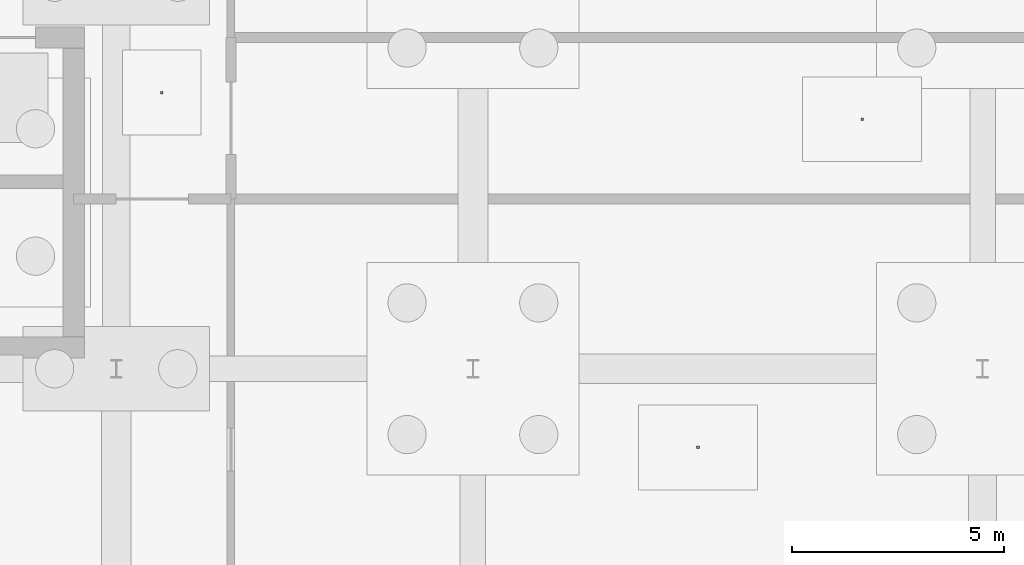
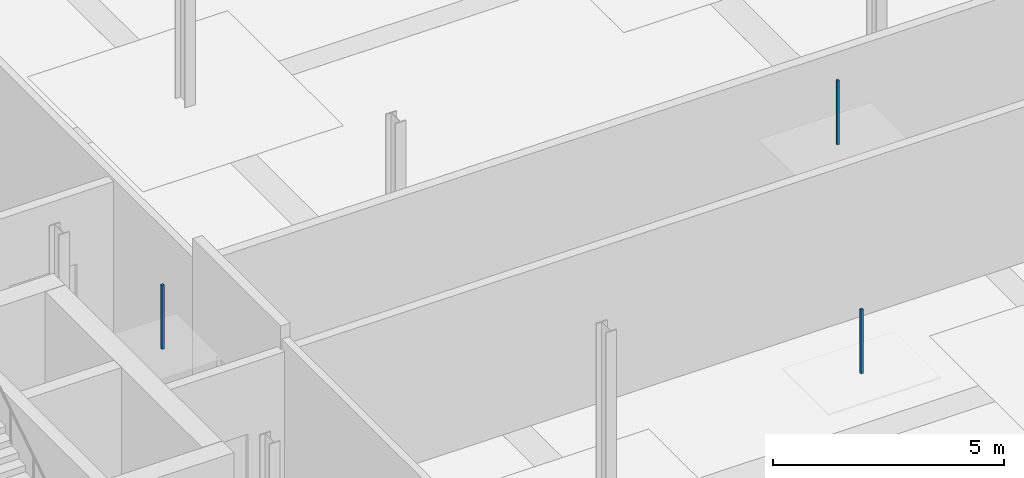
# One storey, part 106 of 119: 3 discrete accessories.
"""IFC4 building model written with IfcOpenShell, lengths in metres."""

from ifc_helpers import new_model, si_unit, derived_unit, direction, frame, origin, origin_2d, place, context, subcontext, project, spatial, rectangle, extrude, material, layer, layer_set, type_object, element, save


model = new_model("IFC4")

# Units and contexts
model_context = context("Model", 3, precision=1e-05, world=origin(), true_north=direction((0.0, 1.0)))
body_context = subcontext(model_context, "Body", "Model", "MODEL_VIEW")
ifc_project = project(units=[si_unit("LENGTHUNIT", "METRE"), si_unit("AREAUNIT", "SQUARE_METRE"), si_unit("VOLUMEUNIT", "CUBIC_METRE"), si_unit("PLANEANGLEUNIT", "RADIAN"), si_unit("MASSUNIT", "GRAM", prefix="KILO"), derived_unit("THERMALTRANSMITTANCEUNIT", [(si_unit("MASSUNIT", "GRAM", prefix="KILO"), 1), (si_unit("TIMEUNIT", "SECOND"), -3), (si_unit("THERMODYNAMICTEMPERATUREUNIT", "KELVIN"), -1)])], contexts=[model_context])

# Site, building, storey
site_placement = place(None, origin())
site = spatial("IfcSite", under=ifc_project, at=site_placement, CompositionType="ELEMENT")
building_placement = place(site_placement, origin())
building = spatial("IfcBuilding", under=site, at=building_placement, Name="Makaiwela Harbour Ferry Terminal", CompositionType="ELEMENT")
storey_placement = place(building_placement, origin())
storey = spatial("IfcBuildingStorey", under=building, at=storey_placement, Name="L00", CompositionType="ELEMENT", Elevation=0.0)

# Discrete accessories
ifc_material = material(Name="Marine grade 316L brushed stainless steel", Category="steel")
ifc_layer = layer(ifc_material, 1.0)
ifc_layer_set = layer_set([ifc_layer], Name="Marine grade 316L brushed stainless steel")
discrete_accessory_type = type_object("IfcDiscreteAccessoryType", Name="INT-ACC-HNG", PredefinedType="BRACKET", material=ifc_layer_set)
for number, where, z_axis, x_axis, name in (
    (1, (148.074951171875, 55.89990234375, 3.135009765625), (0.0, 0.0, 1.0), (1.0, 0.0, 0.0), "Ceiling Suspension Bracket HNG-001"),
    (2, (164.56494140625, 55.27490234375, 3.135009765625), (0.0, 0.0, 1.0), (1.0, 0.0, 0.0), "Ceiling Suspension Bracket HNG-013"),
    (3, (160.699951171875, 47.550048828125, 3.135009765625), (0.0, 0.0, 1.0), (1.0, 0.0, 0.0), "Ceiling Suspension Bracket HNG-025"),
):
    element("IfcDiscreteAccessory", number, at=place(storey_placement, frame(where, z_axis=z_axis, x_axis=x_axis)), inside=storey, type_object=discrete_accessory_type, Name=name, PredefinedType="BRACKET", context=body_context, shape_type="SweptSolid", body=[
        extrude(rectangle(XDim=0.06005859375, YDim=0.06005859375, at=origin_2d()), origin(), (0.0, 0.0, 1.0), 1.68994140625),
    ])

save(model, "model.ifc")
